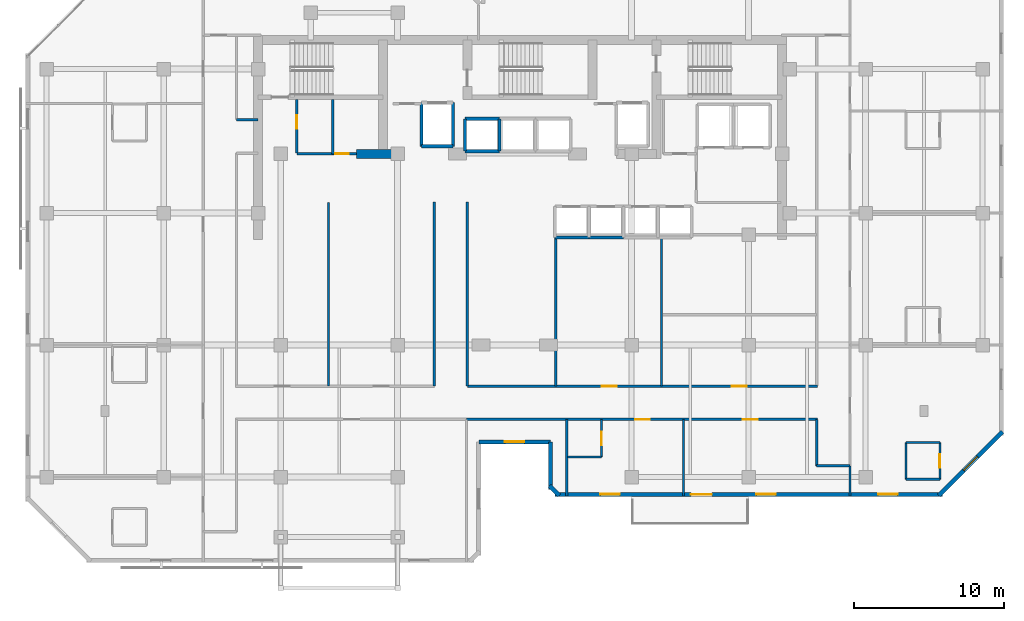
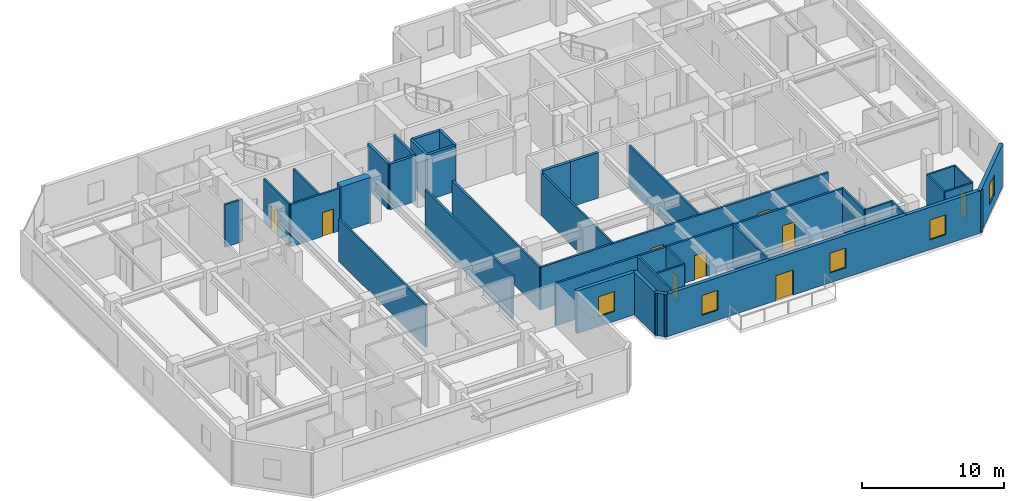
# One storey, part 5 of 10: 37 walls, 9 doors, 5 windows, 14 openings.
"""IFC4 building model written with IfcOpenShell, lengths in metres."""

from ifc_helpers import new_model, si_unit, direction, frame, frame_2d, origin, place, context, subcontext, project, spatial, rectangle, extrude, material, layer, layer_set, type_object, element, fill, save


model = new_model("IFC4")

# Units and contexts
model_context = context("Model", 3, precision=1e-05, world=origin(), true_north=direction((0.0, 1.0)))
body_context = subcontext(model_context, "Body", "Model", "MODEL_VIEW")
ifc_project = project(units=[si_unit("LENGTHUNIT", "METRE"), si_unit("AREAUNIT", "SQUARE_METRE"), si_unit("VOLUMEUNIT", "CUBIC_METRE"), si_unit("PLANEANGLEUNIT", "RADIAN"), si_unit("MASSUNIT", "GRAM", prefix="KILO")], contexts=[model_context])

# Site, building, storey
site_placement = place(None, origin())
site = spatial("IfcSite", under=ifc_project, at=site_placement, CompositionType="ELEMENT")
building_placement = place(site_placement, origin())
building = spatial("IfcBuilding", under=site, at=building_placement, Name="Kestravale Grand Hotel", CompositionType="ELEMENT")
storey_placement = place(building_placement, frame((0.0, 0.0, 196.800048828125)))
storey = spatial("IfcBuildingStorey", under=building, at=storey_placement, Name="L49", CompositionType="ELEMENT", Elevation=196.800048828125)

# Wall
ifc_material_1 = material(Name="Concrete f'c 50 MPa", Category="concrete")
ifc_layer_1 = layer(ifc_material_1, 0.60009765625)
ifc_layer_set_1 = layer_set([ifc_layer_1], Name="EW-CORE-600")
wall_type_1 = type_object("IfcWallType", Name="EW-CORE-600", PredefinedType="SHEAR", material=ifc_layer_set_1)
wall_1_placement = place(storey_placement, frame((28.449951171875, 32.75, 0.0), z_axis=(0.0, 0.0, 1.0), x_axis=(1.0, 0.0, 0.0)))
element("IfcWall", 1, at=wall_1_placement, inside=storey, type_object=wall_type_1, Name="L49 core shear wall S1", PredefinedType="SHEAR", context=body_context, shape_type="SweptSolid", body=[
    extrude(rectangle(XDim=2.400146484375, YDim=0.60009765625, at=frame_2d((1.2001953125, 0.0))), origin(), (0.0, 0.0, 1.0), 3.89990234375),
])

# Wall, opening, window
ifc_material_2 = material(Name="Precast concrete f'c 45 MPa", Category="concrete")
ifc_layer_2 = layer(ifc_material_2, 0.280029296875)
ifc_layer_set_2 = layer_set([ifc_layer_2], Name="EW-PREC-280")
wall_type_2 = type_object("IfcWallType", Name="EW-PREC-280", PredefinedType="SOLIDWALL", material=ifc_layer_set_2)
wall_2_placement = place(storey_placement, frame((36.610107421875, 13.5400390625, 0.0), z_axis=(0.0, 0.0, 1.0), x_axis=(1.0, 0.0, 0.0)))
wall_2 = element("IfcWall", 2, at=wall_2_placement, inside=storey, type_object=wall_type_2, Name="L49 fluted precast facade wall 4", PredefinedType="SOLIDWALL", context=body_context, shape_type="SweptSolid", body=[
    extrude(rectangle(XDim=4.77978515625, YDim=0.280029296875, at=frame_2d((2.389892578125, 0.0))), origin(), (0.0, 0.0, 1.0), 3.64990234375),
])
opening_1_placement = place(wall_2_placement, frame((1.739990234375, 0.0, 0.85009765625)))
opening_1 = element("IfcOpeningElement", 3, at=opening_1_placement, cuts=wall_2, Name="Opening W-GUEST-1300", PredefinedType="OPENING", context=body_context, shape_type="SweptSolid", body=[
    extrude(rectangle(XDim=1.300048828125, YDim=1.699951171875, at=frame_2d((0.64990234375, 0.85009765625))), frame((0.0, 0.14990234375, 0.0), z_axis=(0.0, -1.0, 0.0), x_axis=(1.0, 0.0, 0.0)), (0.0, 0.0, 1.0), 0.300048828125),
])
ifc_material_3 = material(Name="Insulated low-E double glazing in aluminium frame", Category="aluminium")
window_type = type_object("IfcWindowType", Name="W-GUEST-1300", PartitioningType="SINGLE_PANEL", PredefinedType="WINDOW", material=ifc_material_3)
window_1_placement = place(opening_1_placement, origin())
window_1 = element("IfcWindow", 4, at=window_1_placement, inside=storey, type_object=window_type, Name="L49 exterior window 4.1", OverallHeight=1.699951171875, OverallWidth=1.300048828125, PartitioningType="SINGLE_PANEL", PredefinedType="WINDOW", context=body_context, shape_type="SweptSolid", body=[
    extrude(rectangle(XDim=1.300048828125, YDim=1.699951171875, at=frame_2d((0.64990234375, 0.85009765625))), frame((0.0, 0.030029296875, 0.0), z_axis=(0.0, -1.0, 0.0), x_axis=(1.0, 0.0, 0.0)), (0.0, 0.0, 1.0), 0.06005859375),
])
fill(opening_1, window_1)

# Walls
wall_3_placement = place(storey_placement, frame((41.389892578125, 13.5400390625, 0.0), z_axis=(0.0, 0.0, 1.0), x_axis=(0.0, -1.0, 0.0)))
element("IfcWall", 5, at=wall_3_placement, inside=storey, type_object=wall_type_2, Name="L49 fluted precast facade wall 5", PredefinedType="SOLIDWALL", context=body_context, shape_type="SweptSolid", body=[
    extrude(rectangle(XDim=3.179931640625, YDim=0.280029296875, at=frame_2d((1.58984375, 0.0))), origin(), (0.0, 0.0, 1.0), 3.64990234375),
])
wall_4_placement = place(storey_placement, frame((41.32080078125, 10.627197265625, 0.0), z_axis=(0.0, 0.0, 1.0), x_axis=(0.707106781187, -0.707106781187, 0.0)))
element("IfcWall", 6, at=wall_4_placement, inside=storey, type_object=wall_type_2, Name="L49 fluted precast facade wall 6", PredefinedType="SOLIDWALL", context=body_context, shape_type="SweptSolid", body=[
    extrude(rectangle(XDim=0.928466796875, YDim=0.280029296875, at=frame_2d((0.46435546875, 0.0))), origin(), (0.0, 0.0, 1.0), 3.64990234375),
])

# Wall, openings, door, windows
wall_5_placement = place(storey_placement, frame((41.7099609375, 10.0400390625, 0.0), z_axis=(0.0, 0.0, 1.0), x_axis=(1.0, 0.0, 0.0)))
wall_5 = element("IfcWall", 7, at=wall_5_placement, inside=storey, type_object=wall_type_2, Name="L49 fluted precast facade wall 7", PredefinedType="SOLIDWALL", context=body_context, shape_type="SweptSolid", body=[
    extrude(rectangle(XDim=25.830078125, YDim=0.280029296875, at=frame_2d((12.9150390625, 0.0))), origin(), (0.0, 0.0, 1.0), 3.64990234375),
])
opening_2_placement = place(wall_5_placement, frame((9.0400390625, 0.0, 0.0)))
opening_2 = element("IfcOpeningElement", 8, at=opening_2_placement, cuts=wall_5, Name="Opening D-TERR-1400", PredefinedType="OPENING", context=body_context, shape_type="SweptSolid", body=[
    extrude(rectangle(XDim=1.39990234375, YDim=2.14990234375, at=frame_2d((0.699951171875, 1.074951171875))), frame((0.0, 0.14990234375, 0.0), z_axis=(0.0, -1.0, 0.0), x_axis=(1.0, 0.0, 0.0)), (0.0, 0.0, 1.0), 0.300048828125),
])
opening_3_placement = place(wall_5_placement, frame((3.0048828125, 0.0, 0.85009765625)))
opening_3 = element("IfcOpeningElement", 9, at=opening_3_placement, cuts=wall_5, Name="Opening W-GUEST-1300", PredefinedType="OPENING", context=body_context, shape_type="SweptSolid", body=[
    extrude(rectangle(XDim=1.300048828125, YDim=1.699951171875, at=frame_2d((0.64990234375, 0.85009765625))), frame((0.0, 0.14990234375, 0.0), z_axis=(0.0, -1.0, 0.0), x_axis=(1.0, 0.0, 0.0)), (0.0, 0.0, 1.0), 0.300048828125),
])
opening_4_placement = place(wall_5_placement, frame((13.4150390625, 0.0, 0.85009765625)))
opening_4 = element("IfcOpeningElement", 10, at=opening_4_placement, cuts=wall_5, Name="Opening W-GUEST-1300", PredefinedType="OPENING", context=body_context, shape_type="SweptSolid", body=[
    extrude(rectangle(XDim=1.300048828125, YDim=1.699951171875, at=frame_2d((0.64990234375, 0.85009765625))), frame((0.0, 0.14990234375, 0.0), z_axis=(0.0, -1.0, 0.0), x_axis=(1.0, 0.0, 0.0)), (0.0, 0.0, 1.0), 0.300048828125),
])
opening_5_placement = place(wall_5_placement, frame((21.52490234375, 0.0, 0.85009765625)))
opening_5 = element("IfcOpeningElement", 11, at=opening_5_placement, cuts=wall_5, Name="Opening W-GUEST-1300", PredefinedType="OPENING", context=body_context, shape_type="SweptSolid", body=[
    extrude(rectangle(XDim=1.300048828125, YDim=1.699951171875, at=frame_2d((0.64990234375, 0.85009765625))), frame((0.0, 0.14990234375, 0.0), z_axis=(0.0, -1.0, 0.0), x_axis=(1.0, 0.0, 0.0)), (0.0, 0.0, 1.0), 0.300048828125),
])
ifc_material_4 = material(Name="Insulated glazed champagne-bronze aluminium door", Category="aluminium")
door_type_1 = type_object("IfcDoorType", Name="D-TERR-1400", OperationType="NOTDEFINED", PredefinedType="DOOR", material=ifc_material_4)
door_1_placement = place(opening_2_placement, origin())
door_1 = element("IfcDoor", 12, at=door_1_placement, inside=storey, type_object=door_type_1, Name="L49 outdoor garden terrace door", OperationType="DOUBLE_DOOR_SINGLE_SWING", OverallHeight=2.14990234375, OverallWidth=1.39990234375, PredefinedType="DOOR", context=body_context, shape_type="SweptSolid", body=[
    extrude(rectangle(XDim=1.39990234375, YDim=2.14990234375, at=frame_2d((0.699951171875, 1.074951171875))), frame((0.0, 0.02490234375, 0.0), z_axis=(0.0, -1.0, 0.0), x_axis=(1.0, 0.0, 0.0)), (0.0, 0.0, 1.0), 0.050048828125),
])
fill(opening_2, door_1)
window_2_placement = place(opening_3_placement, origin())
window_2 = element("IfcWindow", 13, at=window_2_placement, inside=storey, type_object=window_type, Name="L49 exterior window 7.1", OverallHeight=1.699951171875, OverallWidth=1.300048828125, PartitioningType="SINGLE_PANEL", PredefinedType="WINDOW", context=body_context, shape_type="SweptSolid", body=[
    extrude(rectangle(XDim=1.300048828125, YDim=1.699951171875, at=frame_2d((0.64990234375, 0.85009765625))), frame((0.0, 0.030029296875, 0.0), z_axis=(0.0, -1.0, 0.0), x_axis=(1.0, 0.0, 0.0)), (0.0, 0.0, 1.0), 0.06005859375),
])
fill(opening_3, window_2)
window_3_placement = place(opening_4_placement, origin())
window_3 = element("IfcWindow", 14, at=window_3_placement, inside=storey, type_object=window_type, Name="L49 exterior window 7.2", OverallHeight=1.699951171875, OverallWidth=1.300048828125, PartitioningType="SINGLE_PANEL", PredefinedType="WINDOW", context=body_context, shape_type="SweptSolid", body=[
    extrude(rectangle(XDim=1.300048828125, YDim=1.699951171875, at=frame_2d((0.64990234375, 0.85009765625))), frame((0.0, 0.030029296875, 0.0), z_axis=(0.0, -1.0, 0.0), x_axis=(1.0, 0.0, 0.0)), (0.0, 0.0, 1.0), 0.06005859375),
])
fill(opening_4, window_3)
window_4_placement = place(opening_5_placement, origin())
window_4 = element("IfcWindow", 15, at=window_4_placement, inside=storey, type_object=window_type, Name="L49 exterior window 7.3", OverallHeight=1.699951171875, OverallWidth=1.300048828125, PartitioningType="SINGLE_PANEL", PredefinedType="WINDOW", context=body_context, shape_type="SweptSolid", body=[
    extrude(rectangle(XDim=1.300048828125, YDim=1.699951171875, at=frame_2d((0.64990234375, 0.85009765625))), frame((0.0, 0.030029296875, 0.0), z_axis=(0.0, -1.0, 0.0), x_axis=(1.0, 0.0, 0.0)), (0.0, 0.0, 1.0), 0.06005859375),
])
fill(opening_5, window_4)

# Wall, opening, window
wall_6_placement = place(storey_placement, frame((67.272705078125, 9.970703125, 0.0), z_axis=(0.0, 0.0, 1.0), x_axis=(0.707106781187, 0.707106781187, 0.0)))
wall_6 = element("IfcWall", 16, at=wall_6_placement, inside=storey, type_object=wall_type_2, Name="L49 fluted precast facade wall 8", PredefinedType="SOLIDWALL", context=body_context, shape_type="SweptSolid", body=[
    extrude(rectangle(XDim=6.019775390625, YDim=0.280029296875, at=frame_2d((3.009765625, 0.0))), origin(), (0.0, 0.0, 1.0), 3.64990234375),
])
opening_6_placement = place(wall_6_placement, frame((2.35986328125, 0.0, 0.85009765625)))
opening_6 = element("IfcOpeningElement", 17, at=opening_6_placement, cuts=wall_6, Name="Opening W-GUEST-1300", PredefinedType="OPENING", context=body_context, shape_type="SweptSolid", body=[
    extrude(rectangle(XDim=1.300048828125, YDim=1.699951171875, at=frame_2d((0.64990234375, 0.85009765625))), frame((0.0, 0.14990234375, 0.0), z_axis=(0.0, -1.0, 0.0), x_axis=(1.0, 0.0, 0.0)), (0.0, 0.0, 1.0), 0.300048828125),
])
window_5_placement = place(opening_6_placement, origin())
window_5 = element("IfcWindow", 18, at=window_5_placement, inside=storey, type_object=window_type, Name="L49 exterior window 8.1", OverallHeight=1.699951171875, OverallWidth=1.300048828125, PartitioningType="SINGLE_PANEL", PredefinedType="WINDOW", context=body_context, shape_type="SweptSolid", body=[
    extrude(rectangle(XDim=1.300048828125, YDim=1.699951171875, at=frame_2d((0.64990234375, 0.85009765625))), frame((0.0, 0.030029296875, 0.0), z_axis=(0.0, -1.0, 0.0), x_axis=(1.0, 0.0, 0.0)), (0.0, 0.0, 1.0), 0.06005859375),
])
fill(opening_6, window_5)

# Wall, opening, door
ifc_material_5 = material(Name="Acoustic fire-rated gypsum board partition", Category="other")
ifc_layer_3 = layer(ifc_material_5, 0.159912109375)
ifc_layer_set_3 = layer_set([ifc_layer_3], Name="IW-CORR-160")
wall_type_3 = type_object("IfcWallType", Name="IW-CORR-160", PredefinedType="PARTITIONING", material=ifc_layer_set_3)
wall_7_placement = place(storey_placement, frame((24.47998046875, 32.800048828125, 0.0), z_axis=(0.0, 0.0, 1.0), x_axis=(0.0, 1.0, 0.0)))
wall_7 = element("IfcWall", 19, at=wall_7_placement, inside=storey, type_object=wall_type_3, Name="L49 west core vestibule wall", PredefinedType="PARTITIONING", context=body_context, shape_type="SweptSolid", body=[
    extrude(rectangle(XDim=3.570068359375, YDim=0.159912109375, at=frame_2d((1.78515625, 0.0))), origin(), (0.0, 0.0, 1.0), 3.64990234375),
])
opening_7_placement = place(wall_7_placement, frame((1.603515625, 0.0, 0.0)))
opening_7 = element("IfcOpeningElement", 20, at=opening_7_placement, cuts=wall_7, Name="Opening D-SH-900", PredefinedType="OPENING", context=body_context, shape_type="SweptSolid", body=[
    extrude(rectangle(XDim=0.89990234375, YDim=2.10009765625, at=frame_2d((0.449951171875, 1.050048828125))), frame((0.0, 0.08984375, 0.0), z_axis=(0.0, -1.0, 0.0), x_axis=(1.0, 0.0, 0.0)), (0.0, 0.0, 1.0), 0.179931640625),
])
ifc_material_6 = material(Name="Galvanised 90-minute shaft and service fire door", Category="steel")
door_type_2 = type_object("IfcDoorType", Name="D-SH-900", OperationType="NOTDEFINED", PredefinedType="DOOR", material=ifc_material_6)
door_2_placement = place(opening_7_placement, origin())
door_2 = element("IfcDoor", 21, at=door_2_placement, inside=storey, type_object=door_type_2, Name="D-L49-HK", OperationType="SINGLE_SWING_RIGHT", OverallHeight=2.10009765625, OverallWidth=0.89990234375, PredefinedType="DOOR", context=body_context, shape_type="SweptSolid", body=[
    extrude(rectangle(XDim=0.89990234375, YDim=2.10009765625, at=frame_2d((0.449951171875, 1.050048828125))), frame((0.0, 0.02490234375, 0.0), z_axis=(0.0, -1.0, 0.0), x_axis=(1.0, 0.0, 0.0)), (0.0, 0.0, 1.0), 0.050048828125),
])
fill(opening_7, door_2)

wall_8_placement = place(storey_placement, frame((24.47998046875, 32.75, 0.0), z_axis=(0.0, 0.0, 1.0), x_axis=(1.0, 0.0, 0.0)))
wall_8 = element("IfcWall", 22, at=wall_8_placement, inside=storey, type_object=wall_type_3, Name="W-L49-CWS", PredefinedType="PARTITIONING", context=body_context, shape_type="SweptSolid", body=[
    extrude(rectangle(XDim=3.969970703125, YDim=0.159912109375, at=frame_2d((1.98486328125, 0.0))), origin(), (0.0, 0.0, 1.0), 3.64990234375),
])
opening_8_placement = place(wall_8_placement, frame((2.574951171875, 0.0, 0.0)))
opening_8 = element("IfcOpeningElement", 23, at=opening_8_placement, cuts=wall_8, Name="Opening D-BATH-880", PredefinedType="OPENING", context=body_context, shape_type="SweptSolid", body=[
    extrude(rectangle(XDim=0.8798828125, YDim=2.050048828125, at=frame_2d((0.43994140625, 1.02490234375))), frame((0.0, 0.08984375, 0.0), z_axis=(0.0, -1.0, 0.0), x_axis=(1.0, 0.0, 0.0)), (0.0, 0.0, 1.0), 0.179931640625),
])
ifc_material_7 = material(Name="Moisture-sealed walnut en-suite bathroom door", Category="wood")
door_type_3 = type_object("IfcDoorType", Name="D-BATH-880", OperationType="NOTDEFINED", PredefinedType="DOOR", material=ifc_material_7)
door_3_placement = place(opening_8_placement, origin())
door_3 = element("IfcDoor", 24, at=door_3_placement, inside=storey, type_object=door_type_3, Name="D-L49-SWC", OperationType="SINGLE_SWING_RIGHT", OverallHeight=2.050048828125, OverallWidth=0.8798828125, PredefinedType="DOOR", context=body_context, shape_type="SweptSolid", body=[
    extrude(rectangle(XDim=0.8798828125, YDim=2.050048828125, at=frame_2d((0.43994140625, 1.02490234375))), frame((0.0, 0.02490234375, 0.0), z_axis=(0.0, -1.0, 0.0), x_axis=(1.0, 0.0, 0.0)), (0.0, 0.0, 1.0), 0.050048828125),
])
fill(opening_8, door_3)

# Wall, openings, doors
wall_9_placement = place(storey_placement, frame((35.85009765625, 17.260009765625, 0.0), z_axis=(0.0, 0.0, 1.0), x_axis=(1.0, 0.0, 0.0)))
wall_9 = element("IfcWall", 25, at=wall_9_placement, inside=storey, type_object=wall_type_3, Name="W-L49-CE-N", PredefinedType="PARTITIONING", context=body_context, shape_type="SweptSolid", body=[
    extrude(rectangle(XDim=23.349853515625, YDim=0.159912109375, at=frame_2d((11.6748046875, 0.0))), origin(), (0.0, 0.0, 1.0), 3.64990234375),
])
opening_9_placement = place(wall_9_placement, frame((8.949951171875, 0.0, 0.0)))
opening_9 = element("IfcOpeningElement", 26, at=opening_9_placement, cuts=wall_9, Name="Opening D-GUEST-1000", PredefinedType="OPENING", context=body_context, shape_type="SweptSolid", body=[
    extrude(rectangle(XDim=1.0, YDim=2.14990234375, at=frame_2d((0.5, 1.074951171875))), frame((0.0, 0.08984375, 0.0), z_axis=(0.0, -1.0, 0.0), x_axis=(1.0, 0.0, 0.0)), (0.0, 0.0, 1.0), 0.179931640625),
])
opening_10_placement = place(wall_9_placement, frame((17.625, 0.0, 0.0)))
opening_10 = element("IfcOpeningElement", 27, at=opening_10_placement, cuts=wall_9, Name="Opening D-GUEST-1000", PredefinedType="OPENING", context=body_context, shape_type="SweptSolid", body=[
    extrude(rectangle(XDim=1.0, YDim=2.14990234375, at=frame_2d((0.5, 1.074951171875))), frame((0.0, 0.08984375, 0.0), z_axis=(0.0, -1.0, 0.0), x_axis=(1.0, 0.0, 0.0)), (0.0, 0.0, 1.0), 0.179931640625),
])
ifc_material_8 = material(Name="Accessible walnut veneer hotel entrance fire door", Category="wood")
door_type_4 = type_object("IfcDoorType", Name="D-GUEST-1000", OperationType="NOTDEFINED", PredefinedType="DOOR", material=ifc_material_8)
door_4_placement = place(opening_9_placement, origin())
door_4 = element("IfcDoor", 28, at=door_4_placement, inside=storey, type_object=door_type_4, Name="D-L49-RECL-E1", OperationType="SINGLE_SWING_LEFT", OverallHeight=2.14990234375, OverallWidth=1.0, PredefinedType="DOOR", context=body_context, shape_type="SweptSolid", body=[
    extrude(rectangle(XDim=1.0, YDim=2.14990234375, at=frame_2d((0.5, 1.074951171875))), frame((0.0, 0.02490234375, 0.0), z_axis=(0.0, -1.0, 0.0), x_axis=(1.0, 0.0, 0.0)), (0.0, 0.0, 1.0), 0.050048828125),
])
fill(opening_9, door_4)
door_5_placement = place(opening_10_placement, origin())
door_5 = element("IfcDoor", 29, at=door_5_placement, inside=storey, type_object=door_type_4, Name="D-L49-RECL-E2", OperationType="SINGLE_SWING_RIGHT", OverallHeight=2.14990234375, OverallWidth=1.0, PredefinedType="DOOR", context=body_context, shape_type="SweptSolid", body=[
    extrude(rectangle(XDim=1.0, YDim=2.14990234375, at=frame_2d((0.5, 1.074951171875))), frame((0.0, 0.02490234375, 0.0), z_axis=(0.0, -1.0, 0.0), x_axis=(1.0, 0.0, 0.0)), (0.0, 0.0, 1.0), 0.050048828125),
])
fill(opening_10, door_5)

# Walls
for number, where, z_axis, x_axis, name in (
    (30, (33.64990234375, 17.260009765625, 0.0), (0.0, 0.0, 1.0), (0.0, 1.0, 0.0), "W-L49-TRUNK-W"),
    (31, (35.85009765625, 17.260009765625, 0.0), (0.0, 0.0, 1.0), (0.0, 1.0, 0.0), "W-L49-TRUNK-E"),
):
    element("IfcWall", number, at=place(storey_placement, frame(where, z_axis=z_axis, x_axis=x_axis)), inside=storey, type_object=wall_type_3, Name=name, PredefinedType="PARTITIONING", context=body_context, shape_type="SweptSolid", body=[
        extrude(rectangle(XDim=12.2900390625, YDim=0.159912109375, at=frame_2d((6.14501953125, 0.0))), origin(), (0.0, 0.0, 1.0), 3.64990234375),
    ])

# Wall, openings, doors
wall_10_placement = place(storey_placement, frame((35.800048828125, 15.0400390625, 0.0), z_axis=(0.0, 0.0, 1.0), x_axis=(1.0, 0.0, 0.0)))
wall_10 = element("IfcWall", 32, at=wall_10_placement, inside=storey, type_object=wall_type_3, Name="W-L49-CE-S", PredefinedType="PARTITIONING", context=body_context, shape_type="SweptSolid", body=[
    extrude(rectangle(XDim=23.39990234375, YDim=0.159912109375, at=frame_2d((11.699951171875, 0.0))), origin(), (0.0, 0.0, 1.0), 3.64990234375),
])
opening_11_placement = place(wall_10_placement, frame((11.25, 0.0, 0.0)))
opening_11 = element("IfcOpeningElement", 33, at=opening_11_placement, cuts=wall_10, Name="Opening D-GUEST-950", PredefinedType="OPENING", context=body_context, shape_type="SweptSolid", body=[
    extrude(rectangle(XDim=0.949951171875, YDim=2.10009765625, at=frame_2d((0.47509765625, 1.050048828125))), frame((0.0, 0.08984375, 0.0), z_axis=(0.0, -1.0, 0.0), x_axis=(1.0, 0.0, 0.0)), (0.0, 0.0, 1.0), 0.179931640625),
])
opening_12_placement = place(wall_10_placement, frame((18.39990234375, 0.0, 0.0)))
opening_12 = element("IfcOpeningElement", 34, at=opening_12_placement, cuts=wall_10, Name="Opening D-GUEST-1000", PredefinedType="OPENING", context=body_context, shape_type="SweptSolid", body=[
    extrude(rectangle(XDim=1.0, YDim=2.14990234375, at=frame_2d((0.5, 1.074951171875))), frame((0.0, 0.08984375, 0.0), z_axis=(0.0, -1.0, 0.0), x_axis=(1.0, 0.0, 0.0)), (0.0, 0.0, 1.0), 0.179931640625),
])
door_6_placement = place(opening_12_placement, origin())
door_6 = element("IfcDoor", 35, at=door_6_placement, inside=storey, type_object=door_type_4, Name="D-L49-AME", OperationType="SINGLE_SWING_RIGHT", OverallHeight=2.14990234375, OverallWidth=1.0, PredefinedType="DOOR", context=body_context, shape_type="SweptSolid", body=[
    extrude(rectangle(XDim=1.0, YDim=2.14990234375, at=frame_2d((0.5, 1.074951171875))), frame((0.0, 0.02490234375, 0.0), z_axis=(0.0, -1.0, 0.0), x_axis=(1.0, 0.0, 0.0)), (0.0, 0.0, 1.0), 0.050048828125),
])
fill(opening_12, door_6)
ifc_material_9 = material(Name="Walnut veneer hotel guestroom entrance fire door", Category="wood")
door_type_5 = type_object("IfcDoorType", Name="D-GUEST-950", OperationType="NOTDEFINED", PredefinedType="DOOR", material=ifc_material_9)
door_7_placement = place(opening_11_placement, origin())
door_7 = element("IfcDoor", 36, at=door_7_placement, inside=storey, type_object=door_type_5, Name="D-L49-U01-ENT", OperationType="SINGLE_SWING_LEFT", OverallHeight=2.10009765625, OverallWidth=0.949951171875, PredefinedType="DOOR", context=body_context, shape_type="SweptSolid", body=[
    extrude(rectangle(XDim=0.949951171875, YDim=2.10009765625, at=frame_2d((0.47509765625, 1.050048828125))), frame((0.0, 0.02490234375, 0.0), z_axis=(0.0, -1.0, 0.0), x_axis=(1.0, 0.0, 0.0)), (0.0, 0.0, 1.0), 0.050048828125),
])
fill(opening_11, door_7)

# Walls
wall_11_placement = place(storey_placement, frame((20.4599609375, 35.02001953125, 0.0), z_axis=(0.0, 0.0, 1.0), x_axis=(1.0, 0.0, 0.0)))
element("IfcWall", 37, at=wall_11_placement, inside=storey, type_object=wall_type_3, Name="W-L49-SW-CN", PredefinedType="PARTITIONING", context=body_context, shape_type="SweptSolid", body=[
    extrude(rectangle(XDim=1.43994140625, YDim=0.159912109375, at=frame_2d((0.719970703125, 0.0))), origin(), (0.0, 0.0, 1.0), 3.64990234375),
])
wall_12_placement = place(storey_placement, frame((59.139892578125, 11.949951171875, 0.0), z_axis=(0.0, 0.0, 1.0), x_axis=(0.0, 1.0, 0.0)))
element("IfcWall", 38, at=wall_12_placement, inside=storey, type_object=wall_type_3, Name="W-L49-SE-W", PredefinedType="PARTITIONING", context=body_context, shape_type="SweptSolid", body=[
    extrude(rectangle(XDim=3.090087890625, YDim=0.159912109375, at=frame_2d((1.544921875, 0.0))), origin(), (0.0, 0.0, 1.0), 3.64990234375),
])

# Wall, opening, door
ifc_material_10 = material(Name="Moisture-resistant tile-backer plumbing chase wall", Category="other")
ifc_layer_4 = layer(ifc_material_10, 0.139892578125)
ifc_layer_set_4 = layer_set([ifc_layer_4], Name="IW-PLB-140")
wall_type_4 = type_object("IfcWallType", Name="IW-PLB-140", PredefinedType="PLUMBINGWALL", material=ifc_layer_set_4)
wall_13_placement = place(storey_placement, frame((44.7900390625, 12.530029296875, 0.0), z_axis=(0.0, 0.0, 1.0), x_axis=(0.0, 1.0, 0.0)))
wall_13 = element("IfcWall", 39, at=wall_13_placement, inside=storey, type_object=wall_type_4, Name="W-L49-U01-BE", PredefinedType="PLUMBINGWALL", context=body_context, shape_type="SweptSolid", body=[
    extrude(rectangle(XDim=2.489990234375, YDim=0.139892578125, at=frame_2d((1.2451171875, 0.0))), origin(), (0.0, 0.0, 1.0), 3.64990234375),
])
opening_13_placement = place(wall_13_placement, frame((0.804931640625, 0.0, 0.0)))
opening_13 = element("IfcOpeningElement", 40, at=opening_13_placement, cuts=wall_13, Name="Opening D-BATH-880", PredefinedType="OPENING", context=body_context, shape_type="SweptSolid", body=[
    extrude(rectangle(XDim=0.8798828125, YDim=2.050048828125, at=frame_2d((0.43994140625, 1.02490234375))), frame((0.0, 0.079833984375, 0.0), z_axis=(0.0, -1.0, 0.0), x_axis=(1.0, 0.0, 0.0)), (0.0, 0.0, 1.0), 0.159912109375),
])
door_8_placement = place(opening_13_placement, origin())
door_8 = element("IfcDoor", 41, at=door_8_placement, inside=storey, type_object=door_type_3, Name="D-L49-U01-BATH", OperationType="SINGLE_SWING_RIGHT", OverallHeight=2.050048828125, OverallWidth=0.8798828125, PredefinedType="DOOR", context=body_context, shape_type="SweptSolid", body=[
    extrude(rectangle(XDim=0.8798828125, YDim=2.050048828125, at=frame_2d((0.43994140625, 1.02490234375))), frame((0.0, 0.02490234375, 0.0), z_axis=(0.0, -1.0, 0.0), x_axis=(1.0, 0.0, 0.0)), (0.0, 0.0, 1.0), 0.050048828125),
])
fill(opening_13, door_8)

# Walls
wall_14_placement = place(storey_placement, frame((42.5400390625, 12.530029296875, 0.0), z_axis=(0.0, 0.0, 1.0), x_axis=(1.0, 0.0, 0.0)))
element("IfcWall", 42, at=wall_14_placement, inside=storey, type_object=wall_type_4, Name="W-L49-U01-BS", PredefinedType="PLUMBINGWALL", context=body_context, shape_type="SweptSolid", body=[
    extrude(rectangle(XDim=2.25, YDim=0.139892578125, at=frame_2d((1.125, 0.0))), origin(), (0.0, 0.0, 1.0), 3.64990234375),
])
wall_15_placement = place(storey_placement, frame((65.10009765625, 11.050048828125, 0.0), z_axis=(0.0, 0.0, 1.0), x_axis=(0.0, 1.0, 0.0)))
element("IfcWall", 43, at=wall_15_placement, inside=storey, type_object=wall_type_4, Name="W-L49-U05-BW", PredefinedType="PLUMBINGWALL", context=body_context, shape_type="SweptSolid", body=[
    extrude(rectangle(XDim=2.449951171875, YDim=0.139892578125, at=frame_2d((1.22509765625, 0.0))), origin(), (0.0, 0.0, 1.0), 3.64990234375),
])

# Wall, opening, door
wall_16_placement = place(storey_placement, frame((67.35009765625, 11.050048828125, 0.0), z_axis=(0.0, 0.0, 1.0), x_axis=(0.0, 1.0, 0.0)))
wall_16 = element("IfcWall", 44, at=wall_16_placement, inside=storey, type_object=wall_type_4, Name="W-L49-U05-BE", PredefinedType="PLUMBINGWALL", context=body_context, shape_type="SweptSolid", body=[
    extrude(rectangle(XDim=2.449951171875, YDim=0.139892578125, at=frame_2d((1.22509765625, 0.0))), origin(), (0.0, 0.0, 1.0), 3.64990234375),
])
opening_14_placement = place(wall_16_placement, frame((0.784912109375, 0.0, 0.0)))
opening_14 = element("IfcOpeningElement", 45, at=opening_14_placement, cuts=wall_16, Name="Opening D-BATH-880", PredefinedType="OPENING", context=body_context, shape_type="SweptSolid", body=[
    extrude(rectangle(XDim=0.8798828125, YDim=2.050048828125, at=frame_2d((0.43994140625, 1.02490234375))), frame((0.0, 0.079833984375, 0.0), z_axis=(0.0, -1.0, 0.0), x_axis=(1.0, 0.0, 0.0)), (0.0, 0.0, 1.0), 0.159912109375),
])
door_9_placement = place(opening_14_placement, origin())
door_9 = element("IfcDoor", 46, at=door_9_placement, inside=storey, type_object=door_type_3, Name="D-L49-U05-BATH", OperationType="SINGLE_SWING_RIGHT", OverallHeight=2.050048828125, OverallWidth=0.8798828125, PredefinedType="DOOR", context=body_context, shape_type="SweptSolid", body=[
    extrude(rectangle(XDim=0.8798828125, YDim=2.050048828125, at=frame_2d((0.43994140625, 1.02490234375))), frame((0.0, 0.02490234375, 0.0), z_axis=(0.0, -1.0, 0.0), x_axis=(1.0, 0.0, 0.0)), (0.0, 0.0, 1.0), 0.050048828125),
])
fill(opening_14, door_9)

# Walls
for number, where, z_axis, x_axis, name in (
    (47, (65.10009765625, 11.050048828125, 0.0), (0.0, 0.0, 1.0), (1.0, 0.0, 0.0), "W-L49-U05-BS"),
    (48, (65.10009765625, 13.5, 0.0), (0.0, 0.0, 1.0), (1.0, 0.0, 0.0), "W-L49-U05-BN"),
):
    element("IfcWall", number, at=place(storey_placement, frame(where, z_axis=z_axis, x_axis=x_axis)), inside=storey, type_object=wall_type_4, Name=name, PredefinedType="PLUMBINGWALL", context=body_context, shape_type="SweptSolid", body=[
        extrude(rectangle(XDim=2.25, YDim=0.139892578125, at=frame_2d((1.125, 0.0))), origin(), (0.0, 0.0, 1.0), 3.64990234375),
    ])
ifc_material_11 = material(Name="Concrete f'c 45 MPa", Category="concrete")
ifc_layer_5 = layer(ifc_material_11, 0.199951171875)
ifc_layer_set_5 = layer_set([ifc_layer_5], Name="IW-SHAFT-200")
wall_type_5 = type_object("IfcWallType", Name="IW-SHAFT-200", PredefinedType="SHEAR", material=ifc_layer_set_5)
for number, where, z_axis, x_axis, name in (
    (49, (35.679931640625, 32.919921875, 0.0), (0.0, 0.0, 1.0), (0.0, 1.0, 0.0), "L49 PL-X1 west shaft wall"),
    (50, (38.0, 32.919921875, 0.0), (0.0, 0.0, 1.0), (0.0, 1.0, 0.0), "L49 PL-X2 west shaft wall"),
):
    element("IfcWall", number, at=place(storey_placement, frame(where, z_axis=z_axis, x_axis=x_axis)), inside=storey, type_object=wall_type_5, Name=name, PredefinedType="SHEAR", context=body_context, shape_type="SweptSolid", body=[
        extrude(rectangle(XDim=2.16015625, YDim=0.199951171875, at=frame_2d((1.080078125, 0.0))), origin(), (0.0, 0.0, 1.0), 3.89990234375),
    ])
for number, where, z_axis, x_axis, name in (
    (51, (32.804931640625, 33.2451171875, 0.0), (0.0, 0.0, 1.0), (0.0, 1.0, 0.0), "L49 FL-1 west shaft wall"),
    (52, (34.89501953125, 33.2451171875, 0.0), (0.0, 0.0, 1.0), (0.0, 1.0, 0.0), "L49 FL-1 east shaft wall"),
):
    element("IfcWall", number, at=place(storey_placement, frame(where, z_axis=z_axis, x_axis=x_axis)), inside=storey, type_object=wall_type_5, Name=name, PredefinedType="SHEAR", context=body_context, shape_type="SweptSolid", body=[
        extrude(rectangle(XDim=2.909912109375, YDim=0.199951171875, at=frame_2d((1.455078125, 0.0))), origin(), (0.0, 0.0, 1.0), 3.89990234375),
    ])
ifc_material_12 = material(Name="Concrete f'c 45 MPa", Category="concrete")
ifc_layer_6 = layer(ifc_material_12, 0.219970703125)
ifc_layer_set_6 = layer_set([ifc_layer_6], Name="IW-SHAFT-220")
wall_type_6 = type_object("IfcWallType", Name="IW-SHAFT-220", PredefinedType="SHEAR", material=ifc_layer_set_6)
wall_17_placement = place(storey_placement, frame((41.705078125, 27.169921875, 0.0), z_axis=(0.0, 0.0, 1.0), x_axis=(1.0, 0.0, 0.0)))
element("IfcWall", 53, at=wall_17_placement, inside=storey, type_object=wall_type_6, Name="L49 PL-M1 south shaft wall", PredefinedType="SHEAR", context=body_context, shape_type="SweptSolid", body=[
    extrude(rectangle(XDim=2.244873046875, YDim=0.219970703125, at=frame_2d((1.12255859375, 0.0))), origin(), (0.0, 0.0, 1.0), 3.89990234375),
])
wall_18_placement = place(storey_placement, frame((43.949951171875, 27.169921875, 0.0), z_axis=(0.0, 0.0, 1.0), x_axis=(1.0, 0.0, 0.0)))
element("IfcWall", 54, at=wall_18_placement, inside=storey, type_object=wall_type_6, Name="L49 PL-M2 south shaft wall", PredefinedType="SHEAR", context=body_context, shape_type="SweptSolid", body=[
    extrude(rectangle(XDim=2.300048828125, YDim=0.219970703125, at=frame_2d((1.14990234375, 0.0))), origin(), (0.0, 0.0, 1.0), 3.89990234375),
])
for number, where, z_axis, x_axis, name in (
    (55, (35.679931640625, 35.080078125, 0.0), (0.0, 0.0, 1.0), (1.0, 0.0, 0.0), "L49 PL-X1 north shaft wall"),
    (56, (35.679931640625, 32.919921875, 0.0), (0.0, 0.0, 1.0), (1.0, 0.0, 0.0), "L49 PL-X1 south shaft wall"),
):
    element("IfcWall", number, at=place(storey_placement, frame(where, z_axis=z_axis, x_axis=x_axis)), inside=storey, type_object=wall_type_6, Name=name, PredefinedType="SHEAR", context=body_context, shape_type="SweptSolid", body=[
        extrude(rectangle(XDim=2.320068359375, YDim=0.219970703125, at=frame_2d((1.16015625, 0.0))), origin(), (0.0, 0.0, 1.0), 3.89990234375),
    ])
wall_19_placement = place(storey_placement, frame((32.804931640625, 33.2451171875, 0.0), z_axis=(0.0, 0.0, 1.0), x_axis=(1.0, 0.0, 0.0)))
element("IfcWall", 57, at=wall_19_placement, inside=storey, type_object=wall_type_6, Name="L49 FL-1 south shaft wall", PredefinedType="SHEAR", context=body_context, shape_type="SweptSolid", body=[
    extrude(rectangle(XDim=2.090087890625, YDim=0.219970703125, at=frame_2d((1.044921875, 0.0))), origin(), (0.0, 0.0, 1.0), 3.89990234375),
])
ifc_material_13 = material(Name="Double-stud STC 52 acoustic demising partition", Category="other")
ifc_layer_7 = layer(ifc_material_13, 0.14990234375)
ifc_layer_set_7 = layer_set([ifc_layer_7], Name="IW-UNIT-150")
wall_type_7 = type_object("IfcWallType", Name="IW-UNIT-150", PredefinedType="PARTITIONING", material=ifc_layer_set_7)
wall_20_placement = place(storey_placement, frame((26.8798828125, 32.75, 0.0), z_axis=(0.0, 0.0, 1.0), x_axis=(0.0, 1.0, 0.0)))
element("IfcWall", 58, at=wall_20_placement, inside=storey, type_object=wall_type_7, Name="W-L49-CC3-V", PredefinedType="PARTITIONING", context=body_context, shape_type="SweptSolid", body=[
    extrude(rectangle(XDim=3.6201171875, YDim=0.14990234375, at=frame_2d((1.81005859375, 0.0))), origin(), (0.0, 0.0, 1.0), 3.64990234375),
])
wall_21_placement = place(storey_placement, frame((59.139892578125, 11.949951171875, 0.0), z_axis=(0.0, 0.0, 1.0), x_axis=(1.0, 0.0, 0.0)))
element("IfcWall", 59, at=wall_21_placement, inside=storey, type_object=wall_type_7, Name="W-L49-SE-S", PredefinedType="PARTITIONING", context=body_context, shape_type="SweptSolid", body=[
    extrude(rectangle(XDim=2.22021484375, YDim=0.14990234375, at=frame_2d((1.110107421875, 0.0))), origin(), (0.0, 0.0, 1.0), 3.64990234375),
])
wall_22_placement = place(storey_placement, frame((26.60009765625, 17.260009765625, 0.0), z_axis=(0.0, 0.0, 1.0), x_axis=(0.0, 1.0, 0.0)))
element("IfcWall", 60, at=wall_22_placement, inside=storey, type_object=wall_type_7, Name="W-L49-RCLW-M", PredefinedType="PARTITIONING", context=body_context, shape_type="SweptSolid", body=[
    extrude(rectangle(XDim=12.239990234375, YDim=0.14990234375, at=frame_2d((6.1201171875, 0.0))), origin(), (0.0, 0.0, 1.0), 3.64990234375),
])
wall_23_placement = place(storey_placement, frame((41.75, 17.260009765625, 0.0), z_axis=(0.0, 0.0, 1.0), x_axis=(0.0, 1.0, 0.0)))
element("IfcWall", 61, at=wall_23_placement, inside=storey, type_object=wall_type_7, Name="W-L49-RCLE-W", PredefinedType="PARTITIONING", context=body_context, shape_type="SweptSolid", body=[
    extrude(rectangle(XDim=9.909912109375, YDim=0.14990234375, at=frame_2d((4.955078125, 0.0))), origin(), (0.0, 0.0, 1.0), 3.64990234375),
])
wall_24_placement = place(storey_placement, frame((48.800048828125, 17.260009765625, 0.0), z_axis=(0.0, 0.0, 1.0), x_axis=(0.0, 1.0, 0.0)))
element("IfcWall", 62, at=wall_24_placement, inside=storey, type_object=wall_type_7, Name="W-L49-RCLE-M", PredefinedType="PARTITIONING", context=body_context, shape_type="SweptSolid", body=[
    extrude(rectangle(XDim=9.889892578125, YDim=0.14990234375, at=frame_2d((4.94482421875, 0.0))), origin(), (0.0, 0.0, 1.0), 3.64990234375),
])
for number, where, z_axis, x_axis, name in (
    (63, (42.47998046875, 9.919921875, 0.0), (0.0, 0.0, 1.0), (0.0, 1.0, 0.0), "W-L49-ES-1"),
    (64, (50.260009765625, 9.919921875, 0.0), (0.0, 0.0, 1.0), (0.0, 1.0, 0.0), "W-L49-ES-2"),
):
    element("IfcWall", number, at=place(storey_placement, frame(where, z_axis=z_axis, x_axis=x_axis)), inside=storey, type_object=wall_type_7, Name=name, PredefinedType="PARTITIONING", context=body_context, shape_type="SweptSolid", body=[
        extrude(rectangle(XDim=5.1201171875, YDim=0.14990234375, at=frame_2d((2.56005859375, 0.0))), origin(), (0.0, 0.0, 1.0), 3.64990234375),
    ])
wall_25_placement = place(storey_placement, frame((61.360107421875, 9.919921875, 0.0), z_axis=(0.0, 0.0, 1.0), x_axis=(0.0, 1.0, 0.0)))
element("IfcWall", 65, at=wall_25_placement, inside=storey, type_object=wall_type_7, Name="W-L49-SE-EXT", PredefinedType="PARTITIONING", context=body_context, shape_type="SweptSolid", body=[
    extrude(rectangle(XDim=2.030029296875, YDim=0.14990234375, at=frame_2d((1.01513671875, 0.0))), origin(), (0.0, 0.0, 1.0), 3.64990234375),
])

save(model, "model.ifc")
